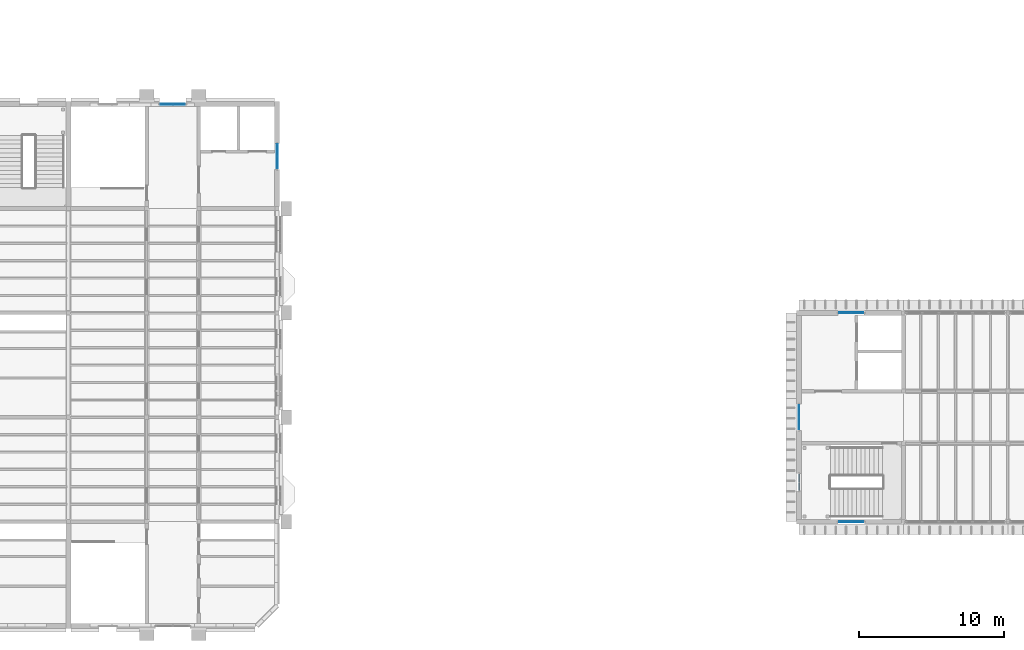
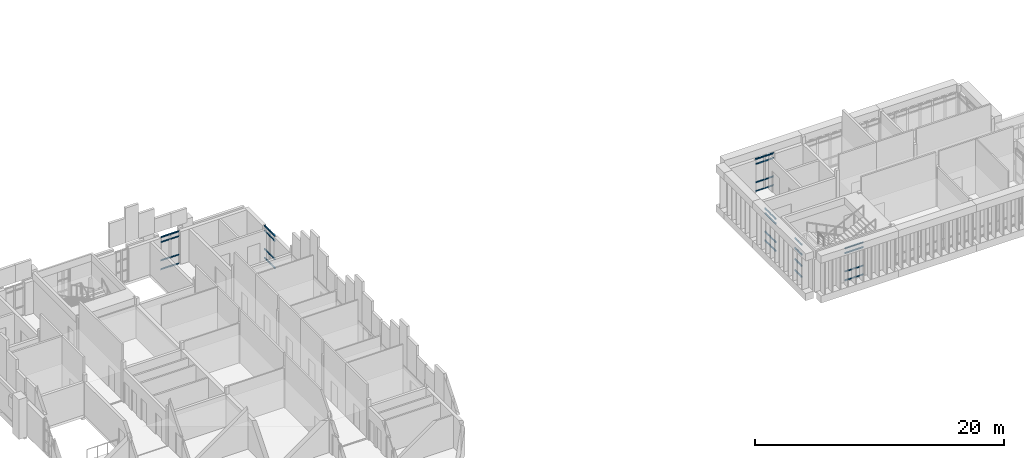
# One storey, part 18 of 51: 48 members, 6 elements without a shape of their own.
"""IFC4 building model written with IfcOpenShell, lengths in metres."""

from ifc_helpers import new_model, si_unit, direction, frame, origin, origin_2d, place, context, subcontext, project, spatial, rectangle, extrude, material, layer, layer_set, material_profile, profile_set, type_object, element, aggregate, save


model = new_model("IFC4")

# Units and contexts
model_context = context("Model", 3, precision=1e-05, world=origin(), true_north=direction((0.0, 1.0)))
body_context = subcontext(model_context, "Body", "Model", "MODEL_VIEW")
ifc_project = project(units=[si_unit("LENGTHUNIT", "METRE"), si_unit("AREAUNIT", "SQUARE_METRE"), si_unit("VOLUMEUNIT", "CUBIC_METRE"), si_unit("PLANEANGLEUNIT", "RADIAN"), si_unit("MASSUNIT", "GRAM", prefix="KILO")], contexts=[model_context])

# Site, building, storey
site_placement = place(None, origin())
site = spatial("IfcSite", under=ifc_project, at=site_placement, CompositionType="ELEMENT")
building_placement = place(site_placement, origin())
building = spatial("IfcBuilding", under=site, at=building_placement, Name="Mazhai Court Health Centre", CompositionType="ELEMENT")
storey_placement = place(building_placement, frame((0.0, 0.0, 14.10009765625)))
storey = spatial("IfcBuildingStorey", under=building, at=storey_placement, Name="L03", CompositionType="ELEMENT", Elevation=14.10009765625)

# Curtain wall, members
ifc_material_1 = material(Name="Teak timber frame, glazed", Category="wood")
ifc_layer_1 = layer(ifc_material_1, 0.10009765625)
ifc_layer_set_1 = layer_set([ifc_layer_1], Name="CURTAIN WALL TIMBER 900")
curtain_wall_type_1 = type_object("IfcCurtainWallType", Name="CURTAIN WALL TIMBER 900", PredefinedType="NOTDEFINED", material=ifc_layer_set_1)
curtain_wall_1_placement = place(storey_placement, origin())
curtain_wall_1 = element("IfcCurtainWall", 1, at=curtain_wall_1_placement, inside=storey, type_object=curtain_wall_type_1, Name="CW-V5-L03-B4", PredefinedType="NOTDEFINED")
ifc_material_2 = material(Name="Teak timber", Category="wood")
ifc_material_profile = material_profile(ifc_material_2, rectangle(XDim=0.06005859375, YDim=0.1201171875, at=origin_2d()), Name="CW TRANSOM 60x120")
ifc_profile_set = profile_set([ifc_material_profile], Name="Teak timber")
member_type = type_object("IfcMemberType", Name="CW TRANSOM 60x120", PredefinedType="USERDEFINED", material=ifc_profile_set)
member_1_placement = place(storey_placement, frame((35.0, 39.43994140625, 0.02978515625), z_axis=(0.0, -1.0, 0.0), x_axis=(1.0, 0.0, 0.0)))
member_1 = element("IfcMember", 2, at=member_1_placement, type_object=member_type, Name="CW transom 1.1", ObjectType="TRANSOM", PredefinedType="USERDEFINED", context=body_context, shape_type="SweptSolid", body=[
    extrude(rectangle(XDim=0.06005859375, YDim=0.1201171875, at=origin_2d()), origin(), (0.0, 0.0, 1.0), 0.81005859375),
])
member_2_placement = place(storey_placement, frame((35.0, 39.43994140625, 0.89990234375), z_axis=(0.0, -1.0, 0.0), x_axis=(1.0, 0.0, 0.0)))
member_2 = element("IfcMember", 3, at=member_2_placement, type_object=member_type, Name="CW transom 1.2", ObjectType="TRANSOM", PredefinedType="USERDEFINED", context=body_context, shape_type="SweptSolid", body=[
    extrude(rectangle(XDim=0.06005859375, YDim=0.1201171875, at=origin_2d()), origin(), (0.0, 0.0, 1.0), 0.81005859375),
])
member_3_placement = place(storey_placement, frame((35.0, 39.43994140625, 2.699951171875), z_axis=(0.0, -1.0, 0.0), x_axis=(1.0, 0.0, 0.0)))
member_3 = element("IfcMember", 4, at=member_3_placement, type_object=member_type, Name="CW transom 1.3", ObjectType="TRANSOM", PredefinedType="USERDEFINED", context=body_context, shape_type="SweptSolid", body=[
    extrude(rectangle(XDim=0.06005859375, YDim=0.1201171875, at=origin_2d()), origin(), (0.0, 0.0, 1.0), 0.81005859375),
])
member_4_placement = place(storey_placement, frame((35.0, 39.43994140625, 3.169921875), z_axis=(0.0, -1.0, 0.0), x_axis=(1.0, 0.0, 0.0)))
member_4 = element("IfcMember", 5, at=member_4_placement, type_object=member_type, Name="CW transom 1.4", ObjectType="TRANSOM", PredefinedType="USERDEFINED", context=body_context, shape_type="SweptSolid", body=[
    extrude(rectangle(XDim=0.06005859375, YDim=0.1201171875, at=origin_2d()), origin(), (0.0, 0.0, 1.0), 0.81005859375),
])
member_5_placement = place(storey_placement, frame((35.0, 38.570068359375, 0.02978515625), z_axis=(0.0, -1.0, 0.0), x_axis=(1.0, 0.0, 0.0)))
member_5 = element("IfcMember", 6, at=member_5_placement, type_object=member_type, Name="CW transom 2.1", ObjectType="TRANSOM", PredefinedType="USERDEFINED", context=body_context, shape_type="SweptSolid", body=[
    extrude(rectangle(XDim=0.06005859375, YDim=0.1201171875, at=origin_2d()), origin(), (0.0, 0.0, 1.0), 0.81005859375),
])
member_6_placement = place(storey_placement, frame((35.0, 38.570068359375, 0.89990234375), z_axis=(0.0, -1.0, 0.0), x_axis=(1.0, 0.0, 0.0)))
member_6 = element("IfcMember", 7, at=member_6_placement, type_object=member_type, Name="CW transom 2.2", ObjectType="TRANSOM", PredefinedType="USERDEFINED", context=body_context, shape_type="SweptSolid", body=[
    extrude(rectangle(XDim=0.06005859375, YDim=0.1201171875, at=origin_2d()), origin(), (0.0, 0.0, 1.0), 0.81005859375),
])
member_7_placement = place(storey_placement, frame((35.0, 38.570068359375, 2.699951171875), z_axis=(0.0, -1.0, 0.0), x_axis=(1.0, 0.0, 0.0)))
member_7 = element("IfcMember", 8, at=member_7_placement, type_object=member_type, Name="CW transom 2.3", ObjectType="TRANSOM", PredefinedType="USERDEFINED", context=body_context, shape_type="SweptSolid", body=[
    extrude(rectangle(XDim=0.06005859375, YDim=0.1201171875, at=origin_2d()), origin(), (0.0, 0.0, 1.0), 0.81005859375),
])
member_8_placement = place(storey_placement, frame((35.0, 38.570068359375, 3.169921875), z_axis=(0.0, -1.0, 0.0), x_axis=(1.0, 0.0, 0.0)))
member_8 = element("IfcMember", 9, at=member_8_placement, type_object=member_type, Name="CW transom 2.4", ObjectType="TRANSOM", PredefinedType="USERDEFINED", context=body_context, shape_type="SweptSolid", body=[
    extrude(rectangle(XDim=0.06005859375, YDim=0.1201171875, at=origin_2d()), origin(), (0.0, 0.0, 1.0), 0.81005859375),
])
aggregate(curtain_wall_1, [member_1, member_2, member_3, member_4, member_5, member_6, member_7, member_8])

curtain_wall_2_placement = place(storey_placement, origin())
curtain_wall_2 = element("IfcCurtainWall", 10, at=curtain_wall_2_placement, inside=storey, type_object=curtain_wall_type_1, Name="CW-V5-L03-ELIFT1", PredefinedType="NOTDEFINED")
member_9_placement = place(storey_placement, frame((26.9599609375, 42.199951171875, 0.02978515625), z_axis=(1.0, 0.0, 0.0), x_axis=(0.0, 1.0, 0.0)))
member_9 = element("IfcMember", 11, at=member_9_placement, type_object=member_type, Name="CW transom 1.1", ObjectType="TRANSOM", PredefinedType="USERDEFINED", context=body_context, shape_type="SweptSolid", body=[
    extrude(rectangle(XDim=0.06005859375, YDim=0.1201171875, at=origin_2d()), origin(), (0.0, 0.0, 1.0), 0.81005859375),
])
member_10_placement = place(storey_placement, frame((26.9599609375, 42.199951171875, 0.89990234375), z_axis=(1.0, 0.0, 0.0), x_axis=(0.0, 1.0, 0.0)))
member_10 = element("IfcMember", 12, at=member_10_placement, type_object=member_type, Name="CW transom 1.2", ObjectType="TRANSOM", PredefinedType="USERDEFINED", context=body_context, shape_type="SweptSolid", body=[
    extrude(rectangle(XDim=0.06005859375, YDim=0.1201171875, at=origin_2d()), origin(), (0.0, 0.0, 1.0), 0.81005859375),
])
member_11_placement = place(storey_placement, frame((26.9599609375, 42.199951171875, 2.699951171875), z_axis=(1.0, 0.0, 0.0), x_axis=(0.0, 1.0, 0.0)))
member_11 = element("IfcMember", 13, at=member_11_placement, type_object=member_type, Name="CW transom 1.3", ObjectType="TRANSOM", PredefinedType="USERDEFINED", context=body_context, shape_type="SweptSolid", body=[
    extrude(rectangle(XDim=0.06005859375, YDim=0.1201171875, at=origin_2d()), origin(), (0.0, 0.0, 1.0), 0.81005859375),
])
member_12_placement = place(storey_placement, frame((26.9599609375, 42.199951171875, 3.169921875), z_axis=(1.0, 0.0, 0.0), x_axis=(0.0, 1.0, 0.0)))
member_12 = element("IfcMember", 14, at=member_12_placement, type_object=member_type, Name="CW transom 1.4", ObjectType="TRANSOM", PredefinedType="USERDEFINED", context=body_context, shape_type="SweptSolid", body=[
    extrude(rectangle(XDim=0.06005859375, YDim=0.1201171875, at=origin_2d()), origin(), (0.0, 0.0, 1.0), 0.81005859375),
])
member_13_placement = place(storey_placement, frame((27.830078125, 42.199951171875, 0.02978515625), z_axis=(1.0, 0.0, 0.0), x_axis=(0.0, 1.0, 0.0)))
member_13 = element("IfcMember", 15, at=member_13_placement, type_object=member_type, Name="CW transom 2.1", ObjectType="TRANSOM", PredefinedType="USERDEFINED", context=body_context, shape_type="SweptSolid", body=[
    extrude(rectangle(XDim=0.06005859375, YDim=0.1201171875, at=origin_2d()), origin(), (0.0, 0.0, 1.0), 0.809814453125),
])
member_14_placement = place(storey_placement, frame((27.830078125, 42.199951171875, 0.89990234375), z_axis=(1.0, 0.0, 0.0), x_axis=(0.0, 1.0, 0.0)))
member_14 = element("IfcMember", 16, at=member_14_placement, type_object=member_type, Name="CW transom 2.2", ObjectType="TRANSOM", PredefinedType="USERDEFINED", context=body_context, shape_type="SweptSolid", body=[
    extrude(rectangle(XDim=0.06005859375, YDim=0.1201171875, at=origin_2d()), origin(), (0.0, 0.0, 1.0), 0.809814453125),
])
member_15_placement = place(storey_placement, frame((27.830078125, 42.199951171875, 2.699951171875), z_axis=(1.0, 0.0, 0.0), x_axis=(0.0, 1.0, 0.0)))
member_15 = element("IfcMember", 17, at=member_15_placement, type_object=member_type, Name="CW transom 2.3", ObjectType="TRANSOM", PredefinedType="USERDEFINED", context=body_context, shape_type="SweptSolid", body=[
    extrude(rectangle(XDim=0.06005859375, YDim=0.1201171875, at=origin_2d()), origin(), (0.0, 0.0, 1.0), 0.809814453125),
])
member_16_placement = place(storey_placement, frame((27.830078125, 42.199951171875, 3.169921875), z_axis=(1.0, 0.0, 0.0), x_axis=(0.0, 1.0, 0.0)))
member_16 = element("IfcMember", 18, at=member_16_placement, type_object=member_type, Name="CW transom 2.4", ObjectType="TRANSOM", PredefinedType="USERDEFINED", context=body_context, shape_type="SweptSolid", body=[
    extrude(rectangle(XDim=0.06005859375, YDim=0.1201171875, at=origin_2d()), origin(), (0.0, 0.0, 1.0), 0.809814453125),
])
aggregate(curtain_wall_2, [member_9, member_10, member_11, member_12, member_13, member_14, member_15, member_16])

curtain_wall_3_placement = place(storey_placement, origin())
curtain_wall_3 = element("IfcCurtainWall", 19, at=curtain_wall_3_placement, inside=storey, type_object=curtain_wall_type_1, Name="CW-V4-L03-A0", PredefinedType="NOTDEFINED")
member_17_placement = place(storey_placement, frame((75.43994140625, 13.39990234375, 0.02978515625), z_axis=(-1.0, 0.0, 0.0), x_axis=(0.0, -1.0, 0.0)))
member_17 = element("IfcMember", 20, at=member_17_placement, type_object=member_type, Name="CW transom 1.1", ObjectType="TRANSOM", PredefinedType="USERDEFINED", context=body_context, shape_type="SweptSolid", body=[
    extrude(rectangle(XDim=0.06005859375, YDim=0.1201171875, at=origin_2d()), origin(), (0.0, 0.0, 1.0), 0.81005859375),
])
member_18_placement = place(storey_placement, frame((75.43994140625, 13.39990234375, 0.89990234375), z_axis=(-1.0, 0.0, 0.0), x_axis=(0.0, -1.0, 0.0)))
member_18 = element("IfcMember", 21, at=member_18_placement, type_object=member_type, Name="CW transom 1.2", ObjectType="TRANSOM", PredefinedType="USERDEFINED", context=body_context, shape_type="SweptSolid", body=[
    extrude(rectangle(XDim=0.06005859375, YDim=0.1201171875, at=origin_2d()), origin(), (0.0, 0.0, 1.0), 0.81005859375),
])
member_19_placement = place(storey_placement, frame((75.43994140625, 13.39990234375, 2.699951171875), z_axis=(-1.0, 0.0, 0.0), x_axis=(0.0, -1.0, 0.0)))
member_19 = element("IfcMember", 22, at=member_19_placement, type_object=member_type, Name="CW transom 1.3", ObjectType="TRANSOM", PredefinedType="USERDEFINED", context=body_context, shape_type="SweptSolid", body=[
    extrude(rectangle(XDim=0.06005859375, YDim=0.1201171875, at=origin_2d()), origin(), (0.0, 0.0, 1.0), 0.81005859375),
])
member_20_placement = place(storey_placement, frame((75.43994140625, 13.39990234375, 3.169921875), z_axis=(-1.0, 0.0, 0.0), x_axis=(0.0, -1.0, 0.0)))
member_20 = element("IfcMember", 23, at=member_20_placement, type_object=member_type, Name="CW transom 1.4", ObjectType="TRANSOM", PredefinedType="USERDEFINED", context=body_context, shape_type="SweptSolid", body=[
    extrude(rectangle(XDim=0.06005859375, YDim=0.1201171875, at=origin_2d()), origin(), (0.0, 0.0, 1.0), 0.81005859375),
])
member_21_placement = place(storey_placement, frame((74.570068359375, 13.39990234375, 0.02978515625), z_axis=(-1.0, 0.0, 0.0), x_axis=(0.0, -1.0, 0.0)))
member_21 = element("IfcMember", 24, at=member_21_placement, type_object=member_type, Name="CW transom 2.1", ObjectType="TRANSOM", PredefinedType="USERDEFINED", context=body_context, shape_type="SweptSolid", body=[
    extrude(rectangle(XDim=0.06005859375, YDim=0.1201171875, at=origin_2d()), origin(), (0.0, 0.0, 1.0), 0.81005859375),
])
member_22_placement = place(storey_placement, frame((74.570068359375, 13.39990234375, 0.89990234375), z_axis=(-1.0, 0.0, 0.0), x_axis=(0.0, -1.0, 0.0)))
member_22 = element("IfcMember", 25, at=member_22_placement, type_object=member_type, Name="CW transom 2.2", ObjectType="TRANSOM", PredefinedType="USERDEFINED", context=body_context, shape_type="SweptSolid", body=[
    extrude(rectangle(XDim=0.06005859375, YDim=0.1201171875, at=origin_2d()), origin(), (0.0, 0.0, 1.0), 0.81005859375),
])
member_23_placement = place(storey_placement, frame((74.570068359375, 13.39990234375, 2.699951171875), z_axis=(-1.0, 0.0, 0.0), x_axis=(0.0, -1.0, 0.0)))
member_23 = element("IfcMember", 26, at=member_23_placement, type_object=member_type, Name="CW transom 2.3", ObjectType="TRANSOM", PredefinedType="USERDEFINED", context=body_context, shape_type="SweptSolid", body=[
    extrude(rectangle(XDim=0.06005859375, YDim=0.1201171875, at=origin_2d()), origin(), (0.0, 0.0, 1.0), 0.81005859375),
])
member_24_placement = place(storey_placement, frame((74.570068359375, 13.39990234375, 3.169921875), z_axis=(-1.0, 0.0, 0.0), x_axis=(0.0, -1.0, 0.0)))
member_24 = element("IfcMember", 27, at=member_24_placement, type_object=member_type, Name="CW transom 2.4", ObjectType="TRANSOM", PredefinedType="USERDEFINED", context=body_context, shape_type="SweptSolid", body=[
    extrude(rectangle(XDim=0.06005859375, YDim=0.1201171875, at=origin_2d()), origin(), (0.0, 0.0, 1.0), 0.81005859375),
])
aggregate(curtain_wall_3, [member_17, member_18, member_19, member_20, member_21, member_22, member_23, member_24])

curtain_wall_4_placement = place(storey_placement, origin())
curtain_wall_4 = element("IfcCurtainWall", 28, at=curtain_wall_4_placement, inside=storey, type_object=curtain_wall_type_1, Name="CW-V4-L03-B0", PredefinedType="NOTDEFINED")
member_25_placement = place(storey_placement, frame((73.760009765625, 27.800048828125, 0.02978515625), z_axis=(1.0, 0.0, 0.0), x_axis=(0.0, 1.0, 0.0)))
member_25 = element("IfcMember", 29, at=member_25_placement, type_object=member_type, Name="CW transom 1.1", ObjectType="TRANSOM", PredefinedType="USERDEFINED", context=body_context, shape_type="SweptSolid", body=[
    extrude(rectangle(XDim=0.06005859375, YDim=0.1201171875, at=origin_2d()), origin(), (0.0, 0.0, 1.0), 0.81005859375),
])
member_26_placement = place(storey_placement, frame((73.760009765625, 27.800048828125, 0.89990234375), z_axis=(1.0, 0.0, 0.0), x_axis=(0.0, 1.0, 0.0)))
member_26 = element("IfcMember", 30, at=member_26_placement, type_object=member_type, Name="CW transom 1.2", ObjectType="TRANSOM", PredefinedType="USERDEFINED", context=body_context, shape_type="SweptSolid", body=[
    extrude(rectangle(XDim=0.06005859375, YDim=0.1201171875, at=origin_2d()), origin(), (0.0, 0.0, 1.0), 0.81005859375),
])
member_27_placement = place(storey_placement, frame((73.760009765625, 27.800048828125, 2.699951171875), z_axis=(1.0, 0.0, 0.0), x_axis=(0.0, 1.0, 0.0)))
member_27 = element("IfcMember", 31, at=member_27_placement, type_object=member_type, Name="CW transom 1.3", ObjectType="TRANSOM", PredefinedType="USERDEFINED", context=body_context, shape_type="SweptSolid", body=[
    extrude(rectangle(XDim=0.06005859375, YDim=0.1201171875, at=origin_2d()), origin(), (0.0, 0.0, 1.0), 0.81005859375),
])
member_28_placement = place(storey_placement, frame((73.760009765625, 27.800048828125, 3.169921875), z_axis=(1.0, 0.0, 0.0), x_axis=(0.0, 1.0, 0.0)))
member_28 = element("IfcMember", 32, at=member_28_placement, type_object=member_type, Name="CW transom 1.4", ObjectType="TRANSOM", PredefinedType="USERDEFINED", context=body_context, shape_type="SweptSolid", body=[
    extrude(rectangle(XDim=0.06005859375, YDim=0.1201171875, at=origin_2d()), origin(), (0.0, 0.0, 1.0), 0.81005859375),
])
member_29_placement = place(storey_placement, frame((74.6298828125, 27.800048828125, 0.02978515625), z_axis=(1.0, 0.0, 0.0), x_axis=(0.0, 1.0, 0.0)))
member_29 = element("IfcMember", 33, at=member_29_placement, type_object=member_type, Name="CW transom 2.1", ObjectType="TRANSOM", PredefinedType="USERDEFINED", context=body_context, shape_type="SweptSolid", body=[
    extrude(rectangle(XDim=0.06005859375, YDim=0.1201171875, at=origin_2d()), origin(), (0.0, 0.0, 1.0), 0.81005859375),
])
member_30_placement = place(storey_placement, frame((74.6298828125, 27.800048828125, 0.89990234375), z_axis=(1.0, 0.0, 0.0), x_axis=(0.0, 1.0, 0.0)))
member_30 = element("IfcMember", 34, at=member_30_placement, type_object=member_type, Name="CW transom 2.2", ObjectType="TRANSOM", PredefinedType="USERDEFINED", context=body_context, shape_type="SweptSolid", body=[
    extrude(rectangle(XDim=0.06005859375, YDim=0.1201171875, at=origin_2d()), origin(), (0.0, 0.0, 1.0), 0.81005859375),
])
member_31_placement = place(storey_placement, frame((74.6298828125, 27.800048828125, 2.699951171875), z_axis=(1.0, 0.0, 0.0), x_axis=(0.0, 1.0, 0.0)))
member_31 = element("IfcMember", 35, at=member_31_placement, type_object=member_type, Name="CW transom 2.3", ObjectType="TRANSOM", PredefinedType="USERDEFINED", context=body_context, shape_type="SweptSolid", body=[
    extrude(rectangle(XDim=0.06005859375, YDim=0.1201171875, at=origin_2d()), origin(), (0.0, 0.0, 1.0), 0.81005859375),
])
member_32_placement = place(storey_placement, frame((74.6298828125, 27.800048828125, 3.169921875), z_axis=(1.0, 0.0, 0.0), x_axis=(0.0, 1.0, 0.0)))
member_32 = element("IfcMember", 36, at=member_32_placement, type_object=member_type, Name="CW transom 2.4", ObjectType="TRANSOM", PredefinedType="USERDEFINED", context=body_context, shape_type="SweptSolid", body=[
    extrude(rectangle(XDim=0.06005859375, YDim=0.1201171875, at=origin_2d()), origin(), (0.0, 0.0, 1.0), 0.81005859375),
])
aggregate(curtain_wall_4, [member_25, member_26, member_27, member_28, member_29, member_30, member_31, member_32])

ifc_material_3 = material(Name="Teak timber frame, glazed", Category="wood")
ifc_layer_2 = layer(ifc_material_3, 0.10009765625)
ifc_layer_set_2 = layer_set([ifc_layer_2], Name="CURTAIN WALL TIMBER 600")
curtain_wall_type_2 = type_object("IfcCurtainWallType", Name="CURTAIN WALL TIMBER 600", PredefinedType="NOTDEFINED", material=ifc_layer_set_2)
curtain_wall_5_placement = place(storey_placement, origin())
curtain_wall_5 = element("IfcCurtainWall", 37, at=curtain_wall_5_placement, inside=storey, type_object=curtain_wall_type_2, Name="CW-V4-L03-SSTAIR0", PredefinedType="NOTDEFINED")
member_33_placement = place(storey_placement, frame((71.0, 15.580078125, 0.02978515625), z_axis=(0.0, 1.0, 0.0), x_axis=(-1.0, 0.0, 0.0)))
member_33 = element("IfcMember", 38, at=member_33_placement, type_object=member_type, Name="CW transom 1.1", ObjectType="TRANSOM", PredefinedType="USERDEFINED", context=body_context, shape_type="SweptSolid", body=[
    extrude(rectangle(XDim=0.06005859375, YDim=0.1201171875, at=origin_2d()), origin(), (0.0, 0.0, 1.0), 0.510009765625),
])
member_34_placement = place(storey_placement, frame((71.0, 15.580078125, 1.099853515625), z_axis=(0.0, 1.0, 0.0), x_axis=(-1.0, 0.0, 0.0)))
member_34 = element("IfcMember", 39, at=member_34_placement, type_object=member_type, Name="CW transom 1.2", ObjectType="TRANSOM", PredefinedType="USERDEFINED", context=body_context, shape_type="SweptSolid", body=[
    extrude(rectangle(XDim=0.06005859375, YDim=0.1201171875, at=origin_2d()), origin(), (0.0, 0.0, 1.0), 0.510009765625),
])
member_35_placement = place(storey_placement, frame((71.0, 15.580078125, 2.199951171875), z_axis=(0.0, 1.0, 0.0), x_axis=(-1.0, 0.0, 0.0)))
member_35 = element("IfcMember", 40, at=member_35_placement, type_object=member_type, Name="CW transom 1.3", ObjectType="TRANSOM", PredefinedType="USERDEFINED", context=body_context, shape_type="SweptSolid", body=[
    extrude(rectangle(XDim=0.06005859375, YDim=0.1201171875, at=origin_2d()), origin(), (0.0, 0.0, 1.0), 0.510009765625),
])
member_36_placement = place(storey_placement, frame((71.0, 15.580078125, 3.169921875), z_axis=(0.0, 1.0, 0.0), x_axis=(-1.0, 0.0, 0.0)))
member_36 = element("IfcMember", 41, at=member_36_placement, type_object=member_type, Name="CW transom 1.4", ObjectType="TRANSOM", PredefinedType="USERDEFINED", context=body_context, shape_type="SweptSolid", body=[
    extrude(rectangle(XDim=0.06005859375, YDim=0.1201171875, at=origin_2d()), origin(), (0.0, 0.0, 1.0), 0.510009765625),
])
member_37_placement = place(storey_placement, frame((71.0, 16.14990234375, 0.02978515625), z_axis=(0.0, 1.0, 0.0), x_axis=(-1.0, 0.0, 0.0)))
member_37 = element("IfcMember", 42, at=member_37_placement, type_object=member_type, Name="CW transom 2.1", ObjectType="TRANSOM", PredefinedType="USERDEFINED", context=body_context, shape_type="SweptSolid", body=[
    extrude(rectangle(XDim=0.06005859375, YDim=0.1201171875, at=origin_2d()), origin(), (0.0, 0.0, 1.0), 0.510009765625),
])
member_38_placement = place(storey_placement, frame((71.0, 16.14990234375, 1.099853515625), z_axis=(0.0, 1.0, 0.0), x_axis=(-1.0, 0.0, 0.0)))
member_38 = element("IfcMember", 43, at=member_38_placement, type_object=member_type, Name="CW transom 2.2", ObjectType="TRANSOM", PredefinedType="USERDEFINED", context=body_context, shape_type="SweptSolid", body=[
    extrude(rectangle(XDim=0.06005859375, YDim=0.1201171875, at=origin_2d()), origin(), (0.0, 0.0, 1.0), 0.510009765625),
])
member_39_placement = place(storey_placement, frame((71.0, 16.14990234375, 2.199951171875), z_axis=(0.0, 1.0, 0.0), x_axis=(-1.0, 0.0, 0.0)))
member_39 = element("IfcMember", 44, at=member_39_placement, type_object=member_type, Name="CW transom 2.3", ObjectType="TRANSOM", PredefinedType="USERDEFINED", context=body_context, shape_type="SweptSolid", body=[
    extrude(rectangle(XDim=0.06005859375, YDim=0.1201171875, at=origin_2d()), origin(), (0.0, 0.0, 1.0), 0.510009765625),
])
member_40_placement = place(storey_placement, frame((71.0, 16.14990234375, 3.169921875), z_axis=(0.0, 1.0, 0.0), x_axis=(-1.0, 0.0, 0.0)))
member_40 = element("IfcMember", 45, at=member_40_placement, type_object=member_type, Name="CW transom 2.4", ObjectType="TRANSOM", PredefinedType="USERDEFINED", context=body_context, shape_type="SweptSolid", body=[
    extrude(rectangle(XDim=0.06005859375, YDim=0.1201171875, at=origin_2d()), origin(), (0.0, 0.0, 1.0), 0.510009765625),
])
aggregate(curtain_wall_5, [member_33, member_34, member_35, member_36, member_37, member_38, member_39, member_40])

curtain_wall_6_placement = place(storey_placement, origin())
curtain_wall_6 = element("IfcCurtainWall", 46, at=curtain_wall_6_placement, inside=storey, type_object=curtain_wall_type_1, Name="CW-V4-L03-SLIFT1", PredefinedType="NOTDEFINED")
member_41_placement = place(storey_placement, frame((71.0, 19.760009765625, 0.02978515625), z_axis=(0.0, 1.0, 0.0), x_axis=(-1.0, 0.0, 0.0)))
member_41 = element("IfcMember", 47, at=member_41_placement, type_object=member_type, Name="CW transom 1.1", ObjectType="TRANSOM", PredefinedType="USERDEFINED", context=body_context, shape_type="SweptSolid", body=[
    extrude(rectangle(XDim=0.06005859375, YDim=0.1201171875, at=origin_2d()), origin(), (0.0, 0.0, 1.0), 0.81005859375),
])
member_42_placement = place(storey_placement, frame((71.0, 19.760009765625, 0.89990234375), z_axis=(0.0, 1.0, 0.0), x_axis=(-1.0, 0.0, 0.0)))
member_42 = element("IfcMember", 48, at=member_42_placement, type_object=member_type, Name="CW transom 1.2", ObjectType="TRANSOM", PredefinedType="USERDEFINED", context=body_context, shape_type="SweptSolid", body=[
    extrude(rectangle(XDim=0.06005859375, YDim=0.1201171875, at=origin_2d()), origin(), (0.0, 0.0, 1.0), 0.81005859375),
])
member_43_placement = place(storey_placement, frame((71.0, 19.760009765625, 2.699951171875), z_axis=(0.0, 1.0, 0.0), x_axis=(-1.0, 0.0, 0.0)))
member_43 = element("IfcMember", 49, at=member_43_placement, type_object=member_type, Name="CW transom 1.3", ObjectType="TRANSOM", PredefinedType="USERDEFINED", context=body_context, shape_type="SweptSolid", body=[
    extrude(rectangle(XDim=0.06005859375, YDim=0.1201171875, at=origin_2d()), origin(), (0.0, 0.0, 1.0), 0.81005859375),
])
member_44_placement = place(storey_placement, frame((71.0, 19.760009765625, 3.169921875), z_axis=(0.0, 1.0, 0.0), x_axis=(-1.0, 0.0, 0.0)))
member_44 = element("IfcMember", 50, at=member_44_placement, type_object=member_type, Name="CW transom 1.4", ObjectType="TRANSOM", PredefinedType="USERDEFINED", context=body_context, shape_type="SweptSolid", body=[
    extrude(rectangle(XDim=0.06005859375, YDim=0.1201171875, at=origin_2d()), origin(), (0.0, 0.0, 1.0), 0.81005859375),
])
member_45_placement = place(storey_placement, frame((71.0, 20.6298828125, 0.02978515625), z_axis=(0.0, 1.0, 0.0), x_axis=(-1.0, 0.0, 0.0)))
member_45 = element("IfcMember", 51, at=member_45_placement, type_object=member_type, Name="CW transom 2.1", ObjectType="TRANSOM", PredefinedType="USERDEFINED", context=body_context, shape_type="SweptSolid", body=[
    extrude(rectangle(XDim=0.06005859375, YDim=0.1201171875, at=origin_2d()), origin(), (0.0, 0.0, 1.0), 0.81005859375),
])
member_46_placement = place(storey_placement, frame((71.0, 20.6298828125, 0.89990234375), z_axis=(0.0, 1.0, 0.0), x_axis=(-1.0, 0.0, 0.0)))
member_46 = element("IfcMember", 52, at=member_46_placement, type_object=member_type, Name="CW transom 2.2", ObjectType="TRANSOM", PredefinedType="USERDEFINED", context=body_context, shape_type="SweptSolid", body=[
    extrude(rectangle(XDim=0.06005859375, YDim=0.1201171875, at=origin_2d()), origin(), (0.0, 0.0, 1.0), 0.81005859375),
])
member_47_placement = place(storey_placement, frame((71.0, 20.6298828125, 2.699951171875), z_axis=(0.0, 1.0, 0.0), x_axis=(-1.0, 0.0, 0.0)))
member_47 = element("IfcMember", 53, at=member_47_placement, type_object=member_type, Name="CW transom 2.3", ObjectType="TRANSOM", PredefinedType="USERDEFINED", context=body_context, shape_type="SweptSolid", body=[
    extrude(rectangle(XDim=0.06005859375, YDim=0.1201171875, at=origin_2d()), origin(), (0.0, 0.0, 1.0), 0.81005859375),
])
member_48_placement = place(storey_placement, frame((71.0, 20.6298828125, 3.169921875), z_axis=(0.0, 1.0, 0.0), x_axis=(-1.0, 0.0, 0.0)))
member_48 = element("IfcMember", 54, at=member_48_placement, type_object=member_type, Name="CW transom 2.4", ObjectType="TRANSOM", PredefinedType="USERDEFINED", context=body_context, shape_type="SweptSolid", body=[
    extrude(rectangle(XDim=0.06005859375, YDim=0.1201171875, at=origin_2d()), origin(), (0.0, 0.0, 1.0), 0.81005859375),
])
aggregate(curtain_wall_6, [member_41, member_42, member_43, member_44, member_45, member_46, member_47, member_48])

save(model, "model.ifc")
